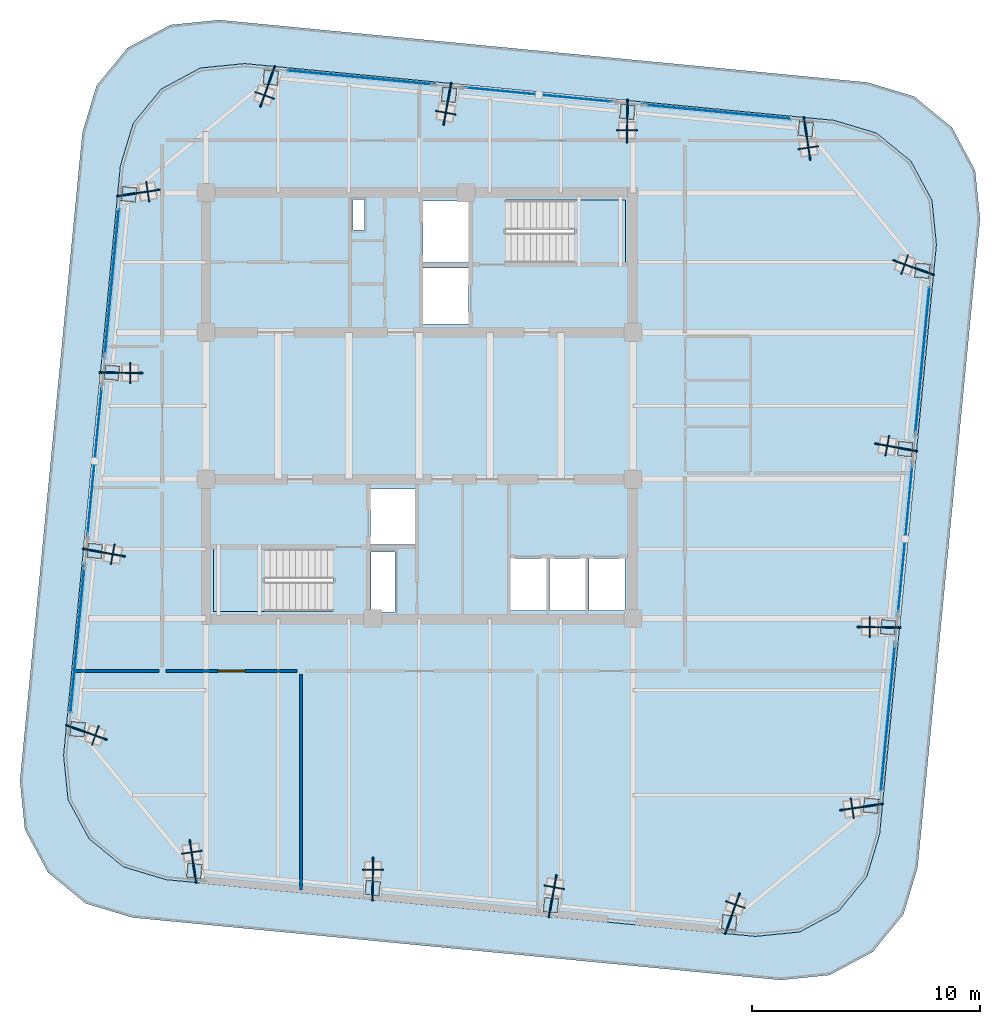
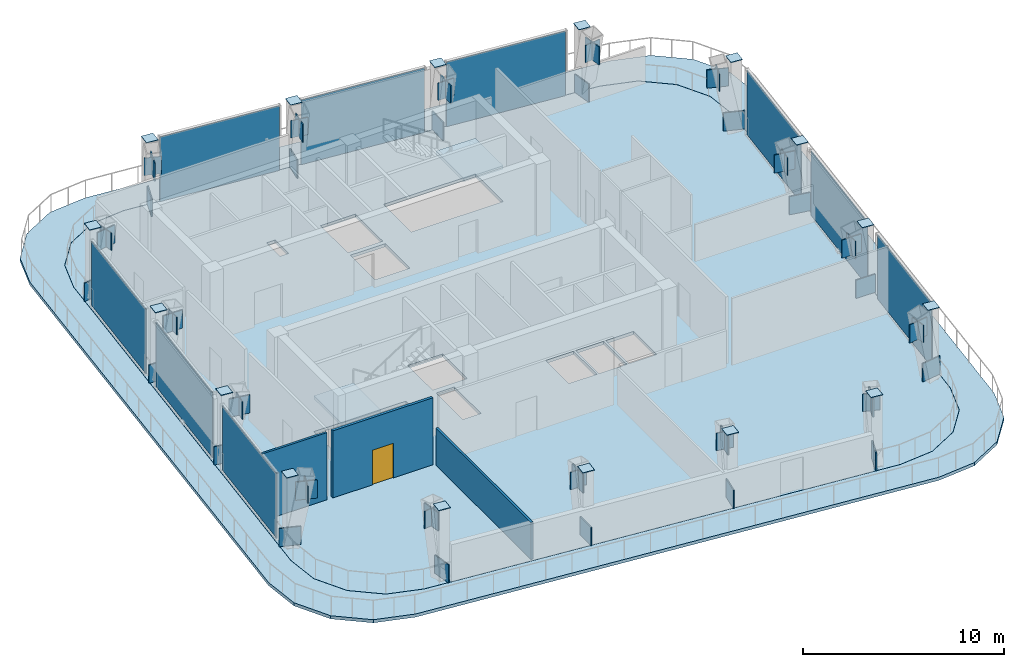
# One storey, part 11 of 19: 73 plates, 4 slabs, 3 walls, 1 door, 1 opening, 11 elements without a shape of their own.
"""IFC4 building model written with IfcOpenShell, lengths in metres."""

from ifc_helpers import new_model, si_unit, direction, frame, frame_2d, origin, origin_2d, place, context, subcontext, project, spatial, polyline, rectangle, outline, extrude, material, layer, layer_set, type_object, element, fill, aggregate, save


model = new_model("IFC4")

# Units and contexts
model_context = context("Model", 3, precision=1e-05, world=origin(), true_north=direction((0.0, 1.0)))
body_context = subcontext(model_context, "Body", "Model", "MODEL_VIEW")
ifc_project = project(units=[si_unit("LENGTHUNIT", "METRE"), si_unit("AREAUNIT", "SQUARE_METRE"), si_unit("VOLUMEUNIT", "CUBIC_METRE"), si_unit("PLANEANGLEUNIT", "RADIAN"), si_unit("MASSUNIT", "GRAM", prefix="KILO")], contexts=[model_context])

# Site, building, storey
site_placement = place(None, origin())
site = spatial("IfcSite", under=ifc_project, at=site_placement, CompositionType="ELEMENT")
building_placement = place(site_placement, origin())
building = spatial("IfcBuilding", under=site, at=building_placement, Name="Qhalaya Broadcast Tower", CompositionType="ELEMENT")
storey_placement = place(building_placement, frame((0.0, 0.0, 280.550048828125)))
storey = spatial("IfcBuildingStorey", under=building, at=storey_placement, Name="L83", CompositionType="ELEMENT", Elevation=280.550048828125)

# Plates
ifc_material_1 = material(Name="Structural Steel ASTM A572 Grade 50", Category="steel")
ifc_layer_1 = layer(ifc_material_1, 0.054931640625, Name="Structural Steel ASTM A572 Grade 50")
ifc_layer_set_1 = layer_set([ifc_layer_1], Name="Structural Steel ASTM A572 Grade 50")
plate_type_1 = type_object("IfcPlateType", Name="Exoskeleton Diamond Node Gusset Plate NP-01", PredefinedType="USERDEFINED", material=ifc_layer_set_1)
for number, where, z_axis, x_axis, name in (
    (1, (-9.883056640625, -19.82861328125, 0.0), (0.0, 0.0, 1.0), (-0.148430798906, 0.988922796752, 0.0), "L83 Strut Foot Gusset Plate 01"),
    (2, (-10.00537109375, -19.012939453125, 2.7099609375), (0.0, 0.0, 1.0), (-0.148430798906, 0.988922796752, 0.0), "L83 Strut Head Gusset Plate 01"),
    (3, (-2.052490234375, -20.58251953125, 0.0), (0.0, 0.0, 1.0), (0.012827818167, 0.999917720156, 0.0), "L83 Strut Foot Gusset Plate 02"),
    (4, (-2.042236328125, -19.77978515625, 2.7099609375), (0.0, 0.0, 1.0), (0.012827818167, 0.999917720156, 0.0), "L83 Strut Head Gusset Plate 02"),
    (5, (5.77783203125, -21.33642578125, 0.0), (0.0, 0.0, 1.0), (0.17825268219, 0.983984746473, 0.0), "L83 Strut Foot Gusset Plate 03"),
    (6, (5.9208984375, -20.54638671875, 2.7099609375), (0.0, 0.0, 1.0), (0.17825268219, 0.983984746473, 0.0), "L83 Strut Head Gusset Plate 03"),
    (7, (13.6083984375, -22.09033203125, 0.0), (0.0, 0.0, 1.0), (0.334366175149, 0.942443240156, 0.0), "L83 Strut Foot Gusset Plate 04"),
    (8, (13.884033203125, -21.313232421875, 2.7099609375), (0.0, 0.0, 1.0), (0.334366175149, 0.942443240156, 0.0), "L83 Strut Head Gusset Plate 04"),
    (9, (19.82861328125, -16.962890625, 0.0), (0.0, 0.0, 1.0), (-0.988922796752, -0.148430798906, 0.0), "L83 Strut Foot Gusset Plate 05"),
    (10, (19.012939453125, -17.08544921875, 2.7099609375), (0.0, 0.0, 1.0), (-0.988922796752, -0.148430798906, 0.0), "L83 Strut Head Gusset Plate 05"),
    (11, (20.58251953125, -9.132568359375, 0.0), (0.0, 0.0, 1.0), (-0.999917720156, 0.012827818167, 0.0), "L83 Strut Foot Gusset Plate 06"),
    (12, (19.77978515625, -9.122314453125, 2.7099609375), (0.0, 0.0, 1.0), (-0.999917720156, 0.012827818167, 0.0), "L83 Strut Head Gusset Plate 06"),
    (13, (21.33642578125, -1.302001953125, 0.0), (0.0, 0.0, 1.0), (-0.983984746473, 0.17825268219, 0.0), "L83 Strut Foot Gusset Plate 07"),
    (14, (20.54638671875, -1.158935546875, 2.7099609375), (0.0, 0.0, 1.0), (-0.983984746473, 0.17825268219, 0.0), "L83 Strut Head Gusset Plate 07"),
    (15, (22.09033203125, 6.5283203125, 0.0), (0.0, 0.0, 1.0), (-0.942443240156, 0.334366175149, 0.0), "L83 Strut Foot Gusset Plate 08"),
    (16, (21.313232421875, 6.80419921875, 2.7099609375), (0.0, 0.0, 1.0), (-0.942443240156, 0.334366175149, 0.0), "L83 Strut Head Gusset Plate 08"),
    (17, (16.962890625, 12.74853515625, 0.0), (0.0, 0.0, 1.0), (0.148430798906, -0.988922796752, 0.0), "L83 Strut Foot Gusset Plate 09"),
    (18, (17.08544921875, 11.93310546875, 2.7099609375), (0.0, 0.0, 1.0), (0.148430798906, -0.988922796752, 0.0), "L83 Strut Head Gusset Plate 09"),
    (19, (9.132568359375, 13.50244140625, 0.0), (0.0, 0.0, 1.0), (-0.012827818167, -0.999917720156, 0.0), "L83 Strut Foot Gusset Plate 10"),
    (20, (9.122314453125, 12.69970703125, 2.7099609375), (0.0, 0.0, 1.0), (-0.012827818167, -0.999917720156, 0.0), "L83 Strut Head Gusset Plate 10"),
    (21, (1.302001953125, 14.25634765625, 0.0), (0.0, 0.0, 1.0), (-0.17825268219, -0.983984746473, 0.0), "L83 Strut Foot Gusset Plate 11"),
    (22, (1.158935546875, 13.466552734375, 2.7099609375), (0.0, 0.0, 1.0), (-0.17825268219, -0.983984746473, 0.0), "L83 Strut Head Gusset Plate 11"),
    (23, (-6.5283203125, 15.010498046875, 0.0), (0.0, 0.0, 1.0), (-0.334366175149, -0.942443240156, 0.0), "L83 Strut Foot Gusset Plate 12"),
    (24, (-6.80419921875, 14.2333984375, 2.7099609375), (0.0, 0.0, 1.0), (-0.334366175149, -0.942443240156, 0.0), "L83 Strut Head Gusset Plate 12"),
    (25, (-12.74853515625, 9.883056640625, 0.0), (0.0, 0.0, 1.0), (0.988922796752, 0.148430798906, 0.0), "L83 Strut Foot Gusset Plate 13"),
    (26, (-11.93310546875, 10.00537109375, 2.7099609375), (0.0, 0.0, 1.0), (0.988922796752, 0.148430798906, 0.0), "L83 Strut Head Gusset Plate 13"),
    (27, (-13.50244140625, 2.052490234375, 0.0), (0.0, 0.0, 1.0), (0.999917720156, -0.012827818167, 0.0), "L83 Strut Foot Gusset Plate 14"),
    (28, (-12.69970703125, 2.042236328125, 2.7099609375), (0.0, 0.0, 1.0), (0.999917720156, -0.012827818167, 0.0), "L83 Strut Head Gusset Plate 14"),
    (29, (-14.25634765625, -5.77783203125, 0.0), (0.0, 0.0, 1.0), (0.983984746473, -0.17825268219, 0.0), "L83 Strut Foot Gusset Plate 15"),
    (30, (-13.466552734375, -5.9208984375, 2.7099609375), (0.0, 0.0, 1.0), (0.983984746473, -0.17825268219, 0.0), "L83 Strut Head Gusset Plate 15"),
    (31, (-15.010498046875, -13.6083984375, 0.0), (0.0, 0.0, 1.0), (0.942443240156, -0.334366175149, 0.0), "L83 Strut Foot Gusset Plate 16"),
    (32, (-14.2333984375, -13.884033203125, 2.7099609375), (0.0, 0.0, 1.0), (0.942443240156, -0.334366175149, 0.0), "L83 Strut Head Gusset Plate 16"),
):
    element("IfcPlate", number, at=place(storey_placement, frame(where, z_axis=z_axis, x_axis=x_axis)), inside=storey, type_object=plate_type_1, Name=name, ObjectType="GUSSET_PLATE", PredefinedType="USERDEFINED", context=body_context, shape_type="SweptSolid", body=[
        extrude(rectangle(XDim=1.10009765625, YDim=0.06005859375, at=origin_2d()), origin(), (0.0, 0.0, 1.0), 1.10009765625),
    ])
ifc_layer_2 = layer(ifc_material_1, 0.4599609375, Name="Structural Steel ASTM A572 Grade 50")
ifc_layer_set_2 = layer_set([ifc_layer_2], Name="Structural Steel ASTM A572 Grade 50")
plate_type_2 = type_object("IfcPlateType", Name="Hollow Box Member End Cap Plate CP-01", PredefinedType="USERDEFINED", material=ifc_layer_set_2)
for number, where, z_axis, x_axis, name in (
    (33, (-9.883056640625, -19.82861328125, 4.35009765625), (0.0, 0.0, 1.0), (0.995396198367, -0.09584575252, 0.0), "L83 Hollow Box Column Top Cap Plate COL-CR01"),
    (34, (-2.052490234375, -20.58251953125, 4.35009765625), (0.0, 0.0, 1.0), (0.995396198367, -0.09584575252, 0.0), "L83 Hollow Box Column Top Cap Plate COL-CR02"),
    (35, (5.77783203125, -21.33642578125, 4.35009765625), (0.0, 0.0, 1.0), (0.995396198367, -0.09584575252, 0.0), "L83 Hollow Box Column Top Cap Plate COL-CR03"),
    (36, (13.6083984375, -22.09033203125, 4.35009765625), (0.0, 0.0, 1.0), (0.995396198367, -0.09584575252, 0.0), "L83 Hollow Box Column Top Cap Plate COL-CR04"),
    (37, (19.82861328125, -16.962890625, 4.35009765625), (0.0, 0.0, 1.0), (0.09584575252, 0.995396198367, 0.0), "L83 Hollow Box Column Top Cap Plate COL-CR05"),
    (38, (20.58251953125, -9.132568359375, 4.35009765625), (0.0, 0.0, 1.0), (0.09584575252, 0.995396198367, 0.0), "L83 Hollow Box Column Top Cap Plate COL-CR06"),
    (39, (21.33642578125, -1.302001953125, 4.35009765625), (0.0, 0.0, 1.0), (0.09584575252, 0.995396198367, 0.0), "L83 Hollow Box Column Top Cap Plate COL-CR07"),
    (40, (22.09033203125, 6.5283203125, 4.35009765625), (0.0, 0.0, 1.0), (0.09584575252, 0.995396198367, 0.0), "L83 Hollow Box Column Top Cap Plate COL-CR08"),
    (41, (16.962890625, 12.74853515625, 4.35009765625), (0.0, 0.0, 1.0), (0.995396198367, -0.09584575252, 0.0), "L83 Hollow Box Column Top Cap Plate COL-CR09"),
    (42, (9.132568359375, 13.50244140625, 4.35009765625), (0.0, 0.0, 1.0), (0.995396198367, -0.09584575252, 0.0), "L83 Hollow Box Column Top Cap Plate COL-CR10"),
    (43, (1.302001953125, 14.25634765625, 4.35009765625), (0.0, 0.0, 1.0), (0.995396198367, -0.09584575252, 0.0), "L83 Hollow Box Column Top Cap Plate COL-CR11"),
    (44, (-6.5283203125, 15.010498046875, 4.35009765625), (0.0, 0.0, 1.0), (0.995396198367, -0.09584575252, 0.0), "L83 Hollow Box Column Top Cap Plate COL-CR12"),
    (45, (-12.74853515625, 9.883056640625, 4.35009765625), (0.0, 0.0, 1.0), (0.09584575252, 0.995396198367, 0.0), "L83 Hollow Box Column Top Cap Plate COL-CR13"),
    (46, (-13.50244140625, 2.052490234375, 4.35009765625), (0.0, 0.0, 1.0), (0.09584575252, 0.995396198367, 0.0), "L83 Hollow Box Column Top Cap Plate COL-CR14"),
    (47, (-14.25634765625, -5.77783203125, 4.35009765625), (0.0, 0.0, 1.0), (0.09584575252, 0.995396198367, 0.0), "L83 Hollow Box Column Top Cap Plate COL-CR15"),
    (48, (-15.010498046875, -13.6083984375, 4.35009765625), (0.0, 0.0, 1.0), (0.09584575252, 0.995396198367, 0.0), "L83 Hollow Box Column Top Cap Plate COL-CR16"),
):
    element("IfcPlate", number, at=place(storey_placement, frame(where, z_axis=z_axis, x_axis=x_axis)), inside=storey, type_object=plate_type_2, Name=name, ObjectType="COVER_PLATE", PredefinedType="USERDEFINED", context=body_context, shape_type="SweptSolid", body=[
        extrude(rectangle(XDim=0.639892578125, YDim=0.639892578125, at=origin_2d()), origin(), (0.0, 0.0, 1.0), 0.031982421875),
    ])

# Slab
ifc_material_2 = material(Name="Concrete C40/50", Category="concrete")
ifc_layer_3 = layer(ifc_material_2, 0.25, Name="Concrete C40/50")
ifc_layer_set_3 = layer_set([ifc_layer_3], Name="Concrete C40/50")
slab_type_1 = type_object("IfcSlabType", Name="Planted Sky-Garden & Sky-Pool External Terrace Slab 250", PredefinedType="FLOOR", material=ifc_layer_set_3)
slab_1_placement = place(storey_placement, frame((0.0, 0.0, -0.18994140625)))
element("IfcSlab", 49, at=slab_1_placement, inside=storey, type_object=slab_type_1, Name="L83 Public Observation Lookout Terrace 1", PredefinedType="FLOOR", context=body_context, shape_type="SweptSolid", body=[
    extrude(outline(polyline([(15.87646484375, -24.619384765625), (18.01171875, -24.404296875), (19.902099609375, -23.388671875), (21.259765625, -21.726806640625), (21.87841796875, -19.671875), (24.619384765625, 8.79638671875), (24.404296875, 10.931640625), (23.388671875, 12.822021484375), (21.726806640625, 14.1796875), (19.671875, 14.79833984375), (-8.79638671875, 17.539306640625), (-10.931640625, 17.324462890625), (-12.822021484375, 16.30859375), (-14.1796875, 14.64697265625), (-14.79833984375, 12.591796875), (-17.539306640625, -15.87646484375), (-17.324462890625, -18.01171875), (-16.30859375, -19.902099609375), (-14.64697265625, -21.259765625), (-12.591796875, -21.87841796875), (15.87646484375, -24.619384765625)]), holes=[polyline([(14.75439453125, -22.70703125), (-11.125732421875, -20.215087890625), (-11.126220703125, -20.215087890625), (-11.126708984375, -20.21484375), (-12.99462890625, -19.652587890625), (-12.9951171875, -19.652587890625), (-12.995361328125, -19.65234375), (-12.99560546875, -19.652099609375), (-12.99609375, -19.652099609375), (-14.5068359375, -18.41748046875), (-14.507080078125, -18.417236328125), (-14.50732421875, -18.4169921875), (-14.507568359375, -18.416748046875), (-14.5078125, -18.41650390625), (-15.43115234375, -16.697998046875), (-15.431396484375, -16.697509765625), (-15.431396484375, -16.697265625), (-15.431640625, -16.69677734375), (-15.431640625, -16.6962890625), (-15.627197265625, -14.75537109375), (-15.627197265625, -14.7548828125), (-15.627197265625, -14.75439453125), (-13.135009765625, 11.125732421875), (-13.135009765625, 11.126220703125), (-13.135009765625, 11.126708984375), (-12.57275390625, 12.99462890625), (-12.572509765625, 12.9951171875), (-12.572509765625, 12.995361328125), (-12.572265625, 12.99560546875), (-12.572021484375, 12.99609375), (-11.337646484375, 14.5068359375), (-11.33740234375, 14.507080078125), (-11.3369140625, 14.50732421875), (-11.336669921875, 14.507568359375), (-11.33642578125, 14.5078125), (-9.617919921875, 15.43115234375), (-9.617431640625, 15.431396484375), (-9.6171875, 15.431396484375), (-9.61669921875, 15.431640625), (-9.616455078125, 15.431640625), (-7.67529296875, 15.627197265625), (-7.6748046875, 15.627197265625), (-7.674560546875, 15.627197265625), (18.205810546875, 13.135009765625), (18.206298828125, 13.135009765625), (18.20654296875, 13.135009765625), (20.07470703125, 12.57275390625), (20.074951171875, 12.572509765625), (20.075439453125, 12.572509765625), (20.07568359375, 12.572265625), (20.075927734375, 12.572021484375), (21.5869140625, 11.337646484375), (21.587158203125, 11.33740234375), (21.58740234375, 11.3369140625), (21.587646484375, 11.336669921875), (21.587890625, 11.33642578125), (22.51123046875, 9.617919921875), (22.511474609375, 9.617431640625), (22.511474609375, 9.6171875), (22.51171875, 9.61669921875), (22.51171875, 9.616455078125), (22.70703125, 7.67529296875), (22.70703125, 7.6748046875), (22.70703125, 7.674560546875), (20.215087890625, -18.205810546875), (20.215087890625, -18.206298828125), (20.21484375, -18.20654296875), (19.652587890625, -20.07470703125), (19.652587890625, -20.074951171875), (19.65234375, -20.075439453125), (19.652099609375, -20.07568359375), (19.652099609375, -20.075927734375), (18.41748046875, -21.5869140625), (18.417236328125, -21.587158203125), (18.4169921875, -21.58740234375), (18.416748046875, -21.587646484375), (18.41650390625, -21.587890625), (16.697998046875, -22.51123046875), (16.697509765625, -22.511474609375), (16.697265625, -22.511474609375), (16.69677734375, -22.51171875), (16.6962890625, -22.51171875), (14.75537109375, -22.70703125), (14.7548828125, -22.70703125), (14.75439453125, -22.70703125)])]), origin(), (0.0, 0.0, 1.0), 0.18994140625),
])

# Curtain wall, plate
ifc_material_3 = material(Name="Solar-Control Low-E Triple Glazing", Category="glass")
ifc_layer_4 = layer(ifc_material_3, 0.219970703125, Name="Solar-Control Low-E Triple Glazing")
ifc_layer_set_4 = layer_set([ifc_layer_4], Name="Solar-Control Low-E Triple Glazing")
curtain_wall_type = type_object("IfcCurtainWallType", Name="Crown Garden & Observation Windscreen Curtain Wall CW-06", PredefinedType="NOTDEFINED", material=ifc_layer_set_4)
curtain_wall_1_placement = place(storey_placement, origin())
curtain_wall_1 = element("IfcCurtainWall", 50, at=curtain_wall_1_placement, inside=storey, type_object=curtain_wall_type, Name="L83 Unitised Curtain Wall L83-CW-E1", PredefinedType="NOTDEFINED")
ifc_layer_5 = layer(ifc_material_3, 0.030029296875, Name="Solar-Control Low-E Triple Glazing")
ifc_layer_set_5 = layer_set([ifc_layer_5], Name="Solar-Control Low-E Triple Glazing")
plate_type_3 = type_object("IfcPlateType", Name="Solar-Control Curtain Glazing Panel GLP-06", PredefinedType="CURTAIN_PANEL", material=ifc_layer_set_5)
plate_1_placement = place(storey_placement, frame((20.588134765625, -13.036865234375, 0.074951171875), z_axis=(0.0, 0.0, 1.0), x_axis=(0.095842545179, 0.995396507194, 0.0)))
plate_1 = element("IfcPlate", 51, at=plate_1_placement, type_object=plate_type_3, Name="CW-06 panel 1.1", PredefinedType="CURTAIN_PANEL", context=body_context, shape_type="SweptSolid", body=[
    extrude(rectangle(XDim=6.511962890625, YDim=0.030029296875, at=origin_2d()), origin(), (0.0, 0.0, 1.0), 3.919921875),
])
aggregate(curtain_wall_1, [plate_1])

curtain_wall_2_placement = place(storey_placement, origin())
curtain_wall_2 = element("IfcCurtainWall", 52, at=curtain_wall_2_placement, inside=storey, type_object=curtain_wall_type, Name="L83 Unitised Curtain Wall L83-CW-E2", PredefinedType="NOTDEFINED")
plate_2_placement = place(storey_placement, frame((21.337646484375, -5.253662109375, 0.074951171875), z_axis=(0.0, 0.0, 1.0), x_axis=(0.095845544549, 0.995396218393, 0.0)))
plate_2 = element("IfcPlate", 53, at=plate_2_placement, type_object=plate_type_3, Name="CW-06 panel 1.1", PredefinedType="CURTAIN_PANEL", context=body_context, shape_type="SweptSolid", body=[
    extrude(rectangle(XDim=6.73388671875, YDim=0.030029296875, at=origin_2d()), origin(), (0.0, 0.0, 1.0), 3.919921875),
])
aggregate(curtain_wall_2, [plate_2])

curtain_wall_3_placement = place(storey_placement, origin())
curtain_wall_3 = element("IfcCurtainWall", 54, at=curtain_wall_3_placement, inside=storey, type_object=curtain_wall_type, Name="L83 Unitised Curtain Wall L83-CW-E3", PredefinedType="NOTDEFINED")
plate_3_placement = place(storey_placement, frame((22.087158203125, 2.529296875, 0.074951171875), z_axis=(0.0, 0.0, 1.0), x_axis=(0.095842545179, 0.995396507194, 0.0)))
plate_3 = element("IfcPlate", 55, at=plate_3_placement, type_object=plate_type_3, Name="CW-06 panel 1.1", PredefinedType="CURTAIN_PANEL", context=body_context, shape_type="SweptSolid", body=[
    extrude(rectangle(XDim=6.511962890625, YDim=0.030029296875, at=origin_2d()), origin(), (0.0, 0.0, 1.0), 3.919921875),
])
aggregate(curtain_wall_3, [plate_3])

curtain_wall_4_placement = place(storey_placement, origin())
curtain_wall_4 = element("IfcCurtainWall", 56, at=curtain_wall_4_placement, inside=storey, type_object=curtain_wall_type, Name="L83 Unitised Curtain Wall L83-CW-N1", PredefinedType="NOTDEFINED")
plate_4_placement = place(storey_placement, frame((13.036865234375, 13.50830078125, 0.074951171875), z_axis=(0.0, 0.0, 1.0), x_axis=(-0.995396507194, 0.095842545179, 0.0)))
plate_4 = element("IfcPlate", 57, at=plate_4_placement, type_object=plate_type_3, Name="CW-06 panel 1.1", PredefinedType="CURTAIN_PANEL", context=body_context, shape_type="SweptSolid", body=[
    extrude(rectangle(XDim=6.511962890625, YDim=0.030029296875, at=origin_2d()), origin(), (0.0, 0.0, 1.0), 3.919921875),
])
aggregate(curtain_wall_4, [plate_4])

curtain_wall_5_placement = place(storey_placement, origin())
curtain_wall_5 = element("IfcCurtainWall", 58, at=curtain_wall_5_placement, inside=storey, type_object=curtain_wall_type, Name="L83 Unitised Curtain Wall L83-CW-N2", PredefinedType="NOTDEFINED")
plate_5_placement = place(storey_placement, frame((5.253662109375, 14.2578125, 0.074951171875), z_axis=(0.0, 0.0, 1.0), x_axis=(-0.995396218393, 0.095845544549, 0.0)))
plate_5 = element("IfcPlate", 59, at=plate_5_placement, type_object=plate_type_3, Name="CW-06 panel 1.1", PredefinedType="CURTAIN_PANEL", context=body_context, shape_type="SweptSolid", body=[
    extrude(rectangle(XDim=6.73388671875, YDim=0.030029296875, at=origin_2d()), origin(), (0.0, 0.0, 1.0), 3.919921875),
])
aggregate(curtain_wall_5, [plate_5])

curtain_wall_6_placement = place(storey_placement, origin())
curtain_wall_6 = element("IfcCurtainWall", 60, at=curtain_wall_6_placement, inside=storey, type_object=curtain_wall_type, Name="L83 Unitised Curtain Wall L83-CW-N3", PredefinedType="NOTDEFINED")
plate_6_placement = place(storey_placement, frame((-2.529296875, 15.007080078125, 0.074951171875), z_axis=(0.0, 0.0, 1.0), x_axis=(-0.995396507194, 0.095842545179, 0.0)))
plate_6 = element("IfcPlate", 61, at=plate_6_placement, type_object=plate_type_3, Name="CW-06 panel 1.1", PredefinedType="CURTAIN_PANEL", context=body_context, shape_type="SweptSolid", body=[
    extrude(rectangle(XDim=6.511962890625, YDim=0.030029296875, at=origin_2d()), origin(), (0.0, 0.0, 1.0), 3.919921875),
])
aggregate(curtain_wall_6, [plate_6])

curtain_wall_7_placement = place(storey_placement, origin())
curtain_wall_7 = element("IfcCurtainWall", 62, at=curtain_wall_7_placement, inside=storey, type_object=curtain_wall_type, Name="L83 Unitised Curtain Wall L83-CW-W1", PredefinedType="NOTDEFINED")
plate_7_placement = place(storey_placement, frame((-13.50830078125, 5.956787109375, 0.074951171875), z_axis=(0.0, 0.0, 1.0), x_axis=(-0.095842545179, -0.995396507194, 0.0)))
plate_7 = element("IfcPlate", 63, at=plate_7_placement, type_object=plate_type_3, Name="CW-06 panel 1.1", PredefinedType="CURTAIN_PANEL", context=body_context, shape_type="SweptSolid", body=[
    extrude(rectangle(XDim=6.511962890625, YDim=0.030029296875, at=origin_2d()), origin(), (0.0, 0.0, 1.0), 3.919921875),
])
aggregate(curtain_wall_7, [plate_7])

curtain_wall_8_placement = place(storey_placement, origin())
curtain_wall_8 = element("IfcCurtainWall", 64, at=curtain_wall_8_placement, inside=storey, type_object=curtain_wall_type, Name="L83 Unitised Curtain Wall L83-CW-W2", PredefinedType="NOTDEFINED")
plate_8_placement = place(storey_placement, frame((-14.2578125, -1.826171875, 0.074951171875), z_axis=(0.0, 0.0, 1.0), x_axis=(-0.095845544549, -0.995396218393, 0.0)))
plate_8 = element("IfcPlate", 65, at=plate_8_placement, type_object=plate_type_3, Name="CW-06 panel 1.1", PredefinedType="CURTAIN_PANEL", context=body_context, shape_type="SweptSolid", body=[
    extrude(rectangle(XDim=6.73388671875, YDim=0.030029296875, at=origin_2d()), origin(), (0.0, 0.0, 1.0), 3.919921875),
])
aggregate(curtain_wall_8, [plate_8])

curtain_wall_9_placement = place(storey_placement, origin())
curtain_wall_9 = element("IfcCurtainWall", 66, at=curtain_wall_9_placement, inside=storey, type_object=curtain_wall_type, Name="L83 Unitised Curtain Wall L83-CW-W3", PredefinedType="NOTDEFINED")
plate_9_placement = place(storey_placement, frame((-15.007080078125, -9.609130859375, 0.074951171875), z_axis=(0.0, 0.0, 1.0), x_axis=(-0.095842545179, -0.995396507194, 0.0)))
plate_9 = element("IfcPlate", 67, at=plate_9_placement, type_object=plate_type_3, Name="CW-06 panel 1.1", PredefinedType="CURTAIN_PANEL", context=body_context, shape_type="SweptSolid", body=[
    extrude(rectangle(XDim=6.511962890625, YDim=0.030029296875, at=origin_2d()), origin(), (0.0, 0.0, 1.0), 3.919921875),
])
aggregate(curtain_wall_9, [plate_9])

# Stair, slab
stair_type = type_object("IfcStairType", Name="Protected Dogleg Core Stair 4200", PredefinedType="TWO_STRAIGHT_RUN_STAIR", material=ifc_material_2)
stair_1_placement = place(storey_placement, origin())
stair_1 = element("IfcStair", 68, at=stair_1_placement, inside=storey, type_object=stair_type, Name="L83 North Core Exit Stair ST-1", PredefinedType="TWO_STRAIGHT_RUN_STAIR")
ifc_layer_6 = layer(ifc_material_2, 0.199951171875, Name="Concrete C40/50")
ifc_layer_set_6 = layer_set([ifc_layer_6], Name="Concrete C40/50")
slab_type_2 = type_object("IfcSlabType", Name="Stair & Ramp Half-Landing Slab 200", PredefinedType="LANDING", material=ifc_layer_set_6)
slab_2_placement = place(storey_placement, frame((0.0, 0.0, 1.974853515625)))
slab_2 = element("IfcSlab", 69, at=slab_2_placement, type_object=slab_type_2, Name="ST-1 landing 1", PredefinedType="LANDING", context=body_context, shape_type="SweptSolid", body=[
    extrude(outline(polyline([(6.794921875, 6.8798828125), (9.050048828125, 6.8798828125), (9.050048828125, 9.639892578125), (6.794921875, 9.639892578125), (6.794921875, 6.8798828125)])), origin(), (0.0, 0.0, 1.0), 0.2001953125),
])
aggregate(stair_1, [slab_2])

stair_2_placement = place(storey_placement, origin())
stair_2 = element("IfcStair", 70, at=stair_2_placement, inside=storey, type_object=stair_type, Name="L83 South Core Exit Stair ST-2", PredefinedType="TWO_STRAIGHT_RUN_STAIR")
slab_3_placement = place(storey_placement, frame((0.0, 0.0, 1.974853515625)))
slab_3 = element("IfcSlab", 71, at=slab_3_placement, type_object=slab_type_2, Name="ST-2 landing 1", PredefinedType="LANDING", context=body_context, shape_type="SweptSolid", body=[
    extrude(outline(polyline([(-6.794921875, -5.679931640625), (-9.050048828125, -5.679931640625), (-9.050048828125, -8.43994140625), (-6.794921875, -8.43994140625), (-6.794921875, -5.679931640625)])), origin(), (0.0, 0.0, 1.0), 0.2001953125),
])
aggregate(stair_2, [slab_3])

# Plates
ifc_layer_7 = layer(ifc_material_1, 0.044921875, Name="Structural Steel ASTM A572 Grade 50")
ifc_layer_set_7 = layer_set([ifc_layer_7], Name="Structural Steel ASTM A572 Grade 50")
plate_type_4 = type_object("IfcPlateType", Name="Transfer Girder Web Stiffener Plate WS-01", PredefinedType="USERDEFINED", material=ifc_layer_set_7)
for number, where, z_axis, x_axis, name in (
    (72, (-10.00537109375, -19.012939453125, 2.73486328125), (0.0, 0.0, 1.0), (-0.988922796752, -0.148430798906, 0.0), "L83 Strut Head Cross Diaphragm Plate 01"),
    (73, (-2.042236328125, -19.77978515625, 2.73486328125), (0.0, 0.0, 1.0), (-0.999917720156, 0.012827818167, 0.0), "L83 Strut Head Cross Diaphragm Plate 02"),
    (74, (5.9208984375, -20.54638671875, 2.73486328125), (0.0, 0.0, 1.0), (-0.983984746473, 0.17825268219, 0.0), "L83 Strut Head Cross Diaphragm Plate 03"),
    (75, (13.884033203125, -21.313232421875, 2.73486328125), (0.0, 0.0, 1.0), (-0.942443240156, 0.334366175149, 0.0), "L83 Strut Head Cross Diaphragm Plate 04"),
    (76, (19.012939453125, -17.08544921875, 2.73486328125), (0.0, 0.0, 1.0), (0.148430798906, -0.988922796752, 0.0), "L83 Strut Head Cross Diaphragm Plate 05"),
    (77, (19.77978515625, -9.122314453125, 2.73486328125), (0.0, 0.0, 1.0), (-0.012827818167, -0.999917720156, 0.0), "L83 Strut Head Cross Diaphragm Plate 06"),
    (78, (20.54638671875, -1.158935546875, 2.73486328125), (0.0, 0.0, 1.0), (-0.17825268219, -0.983984746473, 0.0), "L83 Strut Head Cross Diaphragm Plate 07"),
    (79, (21.313232421875, 6.80419921875, 2.73486328125), (0.0, 0.0, 1.0), (-0.334366175149, -0.942443240156, 0.0), "L83 Strut Head Cross Diaphragm Plate 08"),
    (80, (17.08544921875, 11.93310546875, 2.73486328125), (0.0, 0.0, 1.0), (0.988922796752, 0.148430798906, 0.0), "L83 Strut Head Cross Diaphragm Plate 09"),
    (81, (9.122314453125, 12.69970703125, 2.73486328125), (0.0, 0.0, 1.0), (0.999917720156, -0.012827818167, 0.0), "L83 Strut Head Cross Diaphragm Plate 10"),
    (82, (1.158935546875, 13.466552734375, 2.73486328125), (0.0, 0.0, 1.0), (0.983984746473, -0.17825268219, 0.0), "L83 Strut Head Cross Diaphragm Plate 11"),
    (83, (-6.80419921875, 14.2333984375, 2.73486328125), (0.0, 0.0, 1.0), (0.942443240156, -0.334366175149, 0.0), "L83 Strut Head Cross Diaphragm Plate 12"),
    (84, (-11.93310546875, 10.00537109375, 2.73486328125), (0.0, 0.0, 1.0), (-0.148430798906, 0.988922796752, 0.0), "L83 Strut Head Cross Diaphragm Plate 13"),
    (85, (-12.69970703125, 2.042236328125, 2.73486328125), (0.0, 0.0, 1.0), (0.012827818167, 0.999917720156, 0.0), "L83 Strut Head Cross Diaphragm Plate 14"),
    (86, (-13.466552734375, -5.9208984375, 2.73486328125), (0.0, 0.0, 1.0), (0.17825268219, 0.983984746473, 0.0), "L83 Strut Head Cross Diaphragm Plate 15"),
    (87, (-14.2333984375, -13.884033203125, 2.73486328125), (0.0, 0.0, 1.0), (0.334366175149, 0.942443240156, 0.0), "L83 Strut Head Cross Diaphragm Plate 16"),
):
    element("IfcPlate", number, at=place(storey_placement, frame(where, z_axis=z_axis, x_axis=x_axis)), inside=storey, type_object=plate_type_4, Name=name, ObjectType="STIFFENER_PLATE", PredefinedType="USERDEFINED", context=body_context, shape_type="SweptSolid", body=[
        extrude(rectangle(XDim=0.89990234375, YDim=0.044921875, at=origin_2d()), origin(), (0.0, 0.0, 1.0), 1.050048828125),
    ])

# Slab
ifc_layer_8 = layer(ifc_material_2, 0.18994140625, Name="Concrete C40/50")
ifc_layer_set_8 = layer_set([ifc_layer_8], Name="Concrete C40/50")
slab_type_3 = type_object("IfcSlabType", Name="Upper Tower Composite Floor Slab 190", PredefinedType="FLOOR", material=ifc_layer_set_8)
slab_4_placement = place(storey_placement, frame((0.0, 0.0, -0.18994140625)))
element("IfcSlab", 88, at=slab_4_placement, inside=storey, type_object=slab_type_3, Name="L83 Main Structural Floor Slab", PredefinedType="FLOOR", context=body_context, shape_type="SweptSolid", body=[
    extrude(outline(polyline([(14.7548828125, -22.703125), (16.696044921875, -22.5078125), (18.41455078125, -21.584228515625), (19.64892578125, -20.073486328125), (20.211181640625, -18.205322265625), (22.703125, 7.6748046875), (22.5078125, 9.615966796875), (21.584228515625, 11.33447265625), (20.073486328125, 12.56884765625), (18.205322265625, 13.131103515625), (-7.6748046875, 15.623046875), (-9.615966796875, 15.427734375), (-11.33447265625, 14.50439453125), (-12.56884765625, 12.993408203125), (-13.131103515625, 11.12548828125), (-15.623046875, -14.7548828125), (-15.427734375, -16.696044921875), (-14.50439453125, -18.41455078125), (-12.993408203125, -19.64892578125), (-11.12548828125, -20.211181640625), (14.7548828125, -22.703125)]), holes=[polyline([(3.784912109375, 9.639892578125), (9.050048828125, 9.639892578125), (9.050048828125, 6.8798828125), (3.784912109375, 6.8798828125), (3.784912109375, 9.639892578125)]), polyline([(-3.784912109375, -8.43994140625), (-9.050048828125, -8.43994140625), (-9.050048828125, -5.679931640625), (-3.784912109375, -5.679931640625), (-3.784912109375, -8.43994140625)]), polyline([(0.14990234375, 6.64990234375), (2.14990234375, 6.64990234375), (2.14990234375, 4.199951171875), (0.14990234375, 4.199951171875), (0.14990234375, 6.64990234375)]), polyline([(0.14990234375, 9.60009765625), (2.14990234375, 9.60009765625), (2.14990234375, 6.89990234375), (0.14990234375, 6.89990234375), (0.14990234375, 9.60009765625)]), polyline([(-2.14990234375, -3.050048828125), (-0.14990234375, -3.050048828125), (-0.14990234375, -5.5), (-2.14990234375, -5.5), (-2.14990234375, -3.050048828125)]), polyline([(4.0, -6.10009765625), (5.60009765625, -6.10009765625), (5.60009765625, -8.39990234375), (4.0, -8.39990234375), (4.0, -6.10009765625)]), polyline([(5.719970703125, -6.10009765625), (7.320068359375, -6.10009765625), (7.320068359375, -8.39990234375), (5.719970703125, -8.39990234375), (5.719970703125, -6.10009765625)]), polyline([(7.43994140625, -6.10009765625), (9.0400390625, -6.10009765625), (9.0400390625, -8.39990234375), (7.43994140625, -8.39990234375), (7.43994140625, -6.10009765625)]), polyline([(-2.919921875, 9.659912109375), (-2.419921875, 9.659912109375), (-2.419921875, 8.320068359375), (-2.919921875, 8.320068359375), (-2.919921875, 9.659912109375)]), polyline([(-2.1201171875, -5.820068359375), (-1.080078125, -5.820068359375), (-1.080078125, -8.4599609375), (-2.1201171875, -8.4599609375), (-2.1201171875, -5.820068359375)])]), origin(), (0.0, 0.0, 1.0), 0.18994140625),
])

# Wall, opening, door
ifc_material_4 = material(Name="Gypsum Acoustic Partition")
ifc_layer_9 = layer(ifc_material_4, 0.14990234375, Name="Gypsum Acoustic Partition")
ifc_layer_set_9 = layer_set([ifc_layer_9], Name="Gypsum Acoustic Partition")
wall_type_1 = type_object("IfcWallType", Name="Corridor & Tenancy Acoustic Partition 150", PredefinedType="PARTITIONING", material=ifc_layer_set_9)
wall_1_placement = place(storey_placement, frame((-11.1201171875, -11.050048828125, 0.0), z_axis=(0.0, 0.0, 1.0), x_axis=(1.0, 0.0, 0.0)))
wall_1 = element("IfcWall", 89, at=wall_1_placement, inside=storey, type_object=wall_type_1, Name="L83 Partition Wall W-COR-03", PredefinedType="PARTITIONING", context=body_context, shape_type="SweptSolid", body=[
    extrude(rectangle(XDim=5.740234375, YDim=0.14990234375, at=frame_2d((2.8701171875, 0.0))), origin(), (0.0, 0.0, 1.0), 4.070068359375),
])
opening_placement = place(wall_1_placement, frame((2.27001953125, 0.0, 0.0)))
opening = element("IfcOpeningElement", 90, at=opening_placement, cuts=wall_1, Name="Opening D11", PredefinedType="OPENING", context=body_context, shape_type="SweptSolid", body=[
    extrude(rectangle(XDim=1.199951171875, YDim=2.10009765625, at=frame_2d((0.60009765625, 1.050048828125))), frame((0.0, 0.0869140625, 0.0), z_axis=(0.0, -1.0, 0.0), x_axis=(1.0, 0.0, 0.0)), (0.0, 0.0, 1.0), 0.173828125),
])
ifc_material_5 = material(Name="Anodised Aluminium Glazed Door", Category="aluminium")
door_type = type_object("IfcDoorType", Name="Conference, Boardroom & Studio Control Door D11", OperationType="NOTDEFINED", PredefinedType="DOOR", material=ifc_material_5)
door_placement = place(opening_placement, origin())
door = element("IfcDoor", 91, at=door_placement, inside=storey, type_object=door_type, Name="L83 Door D-RM03", OperationType="SINGLE_SWING_LEFT", OverallHeight=2.10009765625, OverallWidth=1.199951171875, PredefinedType="DOOR", context=body_context, shape_type="SweptSolid", body=[
    extrude(rectangle(XDim=1.199951171875, YDim=2.10009765625, at=frame_2d((0.60009765625, 1.050048828125))), frame((0.0, 0.02490234375, 0.0), z_axis=(0.0, -1.0, 0.0), x_axis=(1.0, 0.0, 0.0)), (0.0, 0.0, 1.0), 0.050048828125),
])
fill(opening, door)

# Walls
ifc_layer_10 = layer(ifc_material_4, 0.1201171875, Name="Gypsum Acoustic Partition")
ifc_layer_set_10 = layer_set([ifc_layer_10], Name="Gypsum Acoustic Partition")
wall_type_2 = type_object("IfcWallType", Name="Office, Booth & Sanitary Partition 120", PredefinedType="PARTITIONING", material=ifc_layer_set_10)
wall_2_placement = place(storey_placement, frame((-15.145751953125, -11.050048828125, 0.0), z_axis=(0.0, 0.0, 1.0), x_axis=(1.0, 0.0, 0.0)))
element("IfcWall", 92, at=wall_2_placement, inside=storey, type_object=wall_type_2, Name="L83 Partition Wall W-BNDW2", PredefinedType="PARTITIONING", context=body_context, shape_type="SweptSolid", body=[
    extrude(rectangle(XDim=3.705810546875, YDim=0.1201171875, at=frame_2d((1.85302734375, 0.0))), origin(), (0.0, 0.0, 1.0), 4.070068359375),
])
wall_3_placement = place(storey_placement, frame((-5.199951171875, -20.6611328125, 0.0), z_axis=(0.0, 0.0, 1.0), x_axis=(0.0, 1.0, 0.0)))
element("IfcWall", 93, at=wall_3_placement, inside=storey, type_object=wall_type_2, Name="L83 Partition Wall W-DIVS1", PredefinedType="PARTITIONING", context=body_context, shape_type="SweptSolid", body=[
    extrude(rectangle(XDim=9.451171875, YDim=0.1201171875, at=frame_2d((4.7255859375, 0.0))), origin(), (0.0, 0.0, 1.0), 2.25),
])

save(model, "model.ifc")
